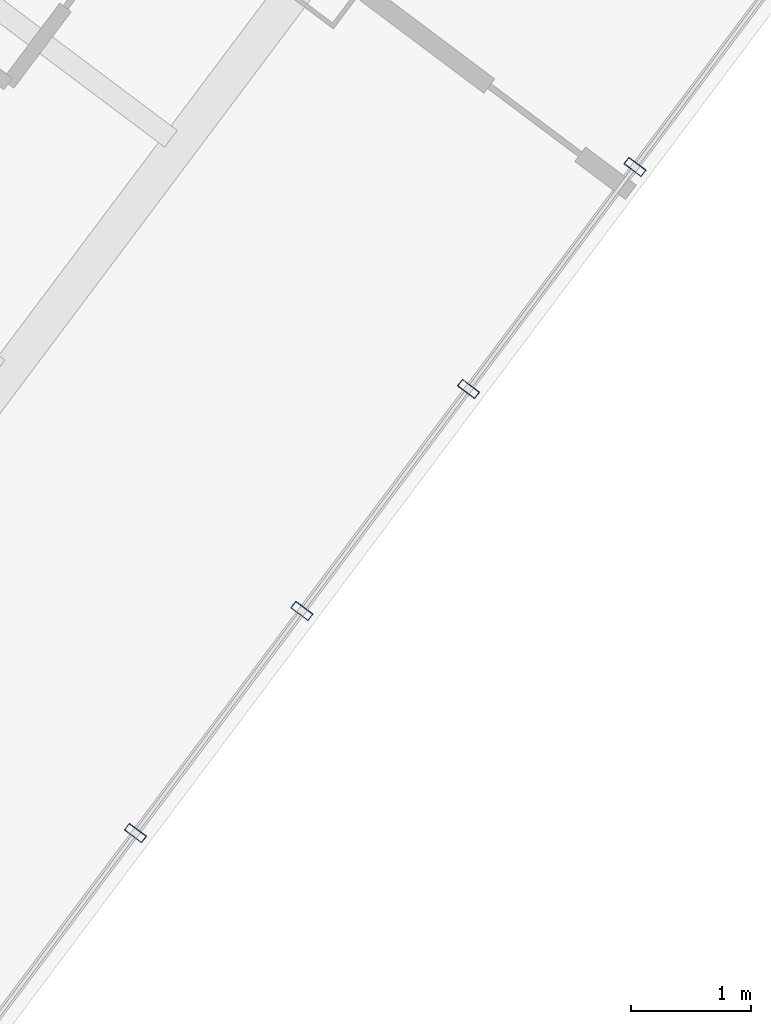
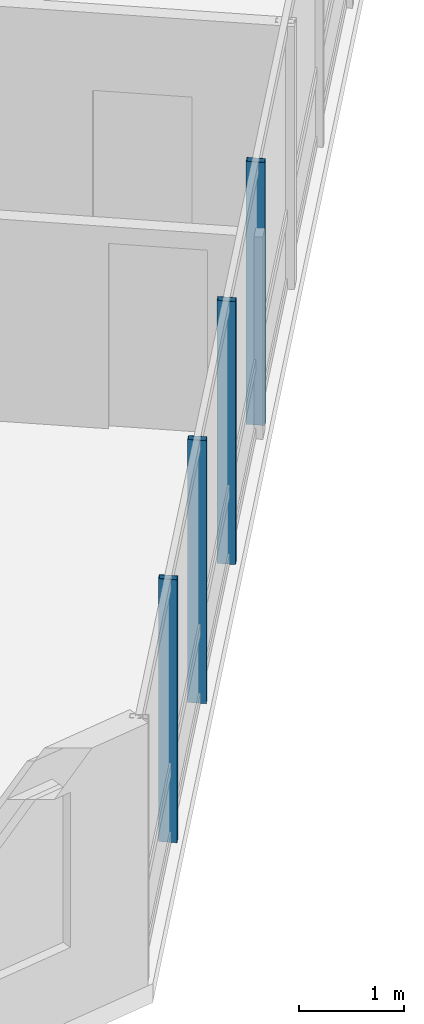
# One storey, part 14 of 36: 4 members, 1 element without a shape of its own.
"""IFC4 building model written with IfcOpenShell, lengths in metres."""

from ifc_helpers import new_model, si_unit, direction, frame, origin, origin_2d, place, context, subcontext, project, spatial, hollow_rectangle, extrude, material, layer, layer_set, material_profile, profile_set, type_object, element, aggregate, save


model = new_model("IFC4")

# Units and contexts
model_context = context("Model", 3, precision=1e-05, world=origin(), true_north=direction((0.0, 1.0)))
body_context = subcontext(model_context, "Body", "Model", "MODEL_VIEW")
ifc_project = project(units=[si_unit("LENGTHUNIT", "METRE"), si_unit("AREAUNIT", "SQUARE_METRE"), si_unit("VOLUMEUNIT", "CUBIC_METRE"), si_unit("PLANEANGLEUNIT", "RADIAN"), si_unit("MASSUNIT", "GRAM", prefix="KILO")], contexts=[model_context])

# Site, building, storey
site_placement = place(None, origin())
site = spatial("IfcSite", under=ifc_project, at=site_placement, CompositionType="ELEMENT")
building_placement = place(site_placement, origin())
building = spatial("IfcBuilding", under=site, at=building_placement, Name="Hatsunagi Terrace Concourse", CompositionType="ELEMENT")
storey_placement = place(building_placement, frame((0.0, 0.0, 88.0)))
storey = spatial("IfcBuildingStorey", under=building, at=storey_placement, Name="L23", CompositionType="ELEMENT", Elevation=88.0)

# Curtain wall, members
ifc_material_1 = material(Name="Anodised Aluminium Alloy 6063-T5", Category="aluminium")
ifc_layer = layer(ifc_material_1, 0.199951171875)
ifc_layer_set = layer_set([ifc_layer], Name="HotelFacade_CW02")
curtain_wall_type = type_object("IfcCurtainWallType", Name="HotelFacade_CW02", PredefinedType="NOTDEFINED", material=ifc_layer_set)
curtain_wall_placement = place(storey_placement, origin())
curtain_wall = element("IfcCurtainWall", 1, at=curtain_wall_placement, inside=storey, type_object=curtain_wall_type, Name="Unitised Curtain Wall CW-02 CW-L23-03", PredefinedType="NOTDEFINED")
ifc_material_2 = material(Name="Anodised Aluminium Alloy 6063-T5", Category="aluminium")
ifc_material_profile = material_profile(ifc_material_2, hollow_rectangle(XDim=0.070068359375, YDim=0.179931640625, WallThickness=0.00390625, at=origin_2d()), Name="ALU-MUL-180x70x4")
ifc_profile_set = profile_set([ifc_material_profile], Name="Anodised Aluminium Alloy 6063-T5")
member_type = type_object("IfcMemberType", Name="CurtainWallMullion_180x70", PredefinedType="MULLION", material=ifc_profile_set)
member_1_placement = place(storey_placement, frame((62.132080078125, 10.3759765625, 0.0), z_axis=(0.0, 0.0, 1.0), x_axis=(-0.599969314634, -0.800023013105, 0.0)))
member_1 = element("IfcMember", 2, at=member_1_placement, type_object=member_type, Name="Curtain Wall Mullion MUL-02", PredefinedType="MULLION", context=body_context, shape_type="SweptSolid", body=[
    extrude(hollow_rectangle(XDim=0.070068359375, YDim=0.179931640625, WallThickness=0.00390625, at=origin_2d()), origin(), (0.0, 0.0, 1.0), 3.050048828125),
])
member_2_placement = place(storey_placement, frame((60.739990234375, 8.51904296875, 0.0), z_axis=(0.0, 0.0, 1.0), x_axis=(-0.599969314634, -0.800023013105, 0.0)))
member_2 = element("IfcMember", 3, at=member_2_placement, type_object=member_type, Name="Curtain Wall Mullion MUL-02", PredefinedType="MULLION", context=body_context, shape_type="SweptSolid", body=[
    extrude(hollow_rectangle(XDim=0.070068359375, YDim=0.179931640625, WallThickness=0.00390625, at=origin_2d()), origin(), (0.0, 0.0, 1.0), 3.050048828125),
])
member_3_placement = place(storey_placement, frame((59.346923828125, 6.6630859375, 0.0), z_axis=(0.0, 0.0, 1.0), x_axis=(-0.599969314634, -0.800023013105, 0.0)))
member_3 = element("IfcMember", 4, at=member_3_placement, type_object=member_type, Name="Curtain Wall Mullion MUL-02", PredefinedType="MULLION", context=body_context, shape_type="SweptSolid", body=[
    extrude(hollow_rectangle(XDim=0.070068359375, YDim=0.179931640625, WallThickness=0.00390625, at=origin_2d()), origin(), (0.0, 0.0, 1.0), 3.050048828125),
])
member_4_placement = place(storey_placement, frame((57.955078125, 4.805908203125, 0.0), z_axis=(0.0, 0.0, 1.0), x_axis=(-0.599969314634, -0.800023013105, 0.0)))
member_4 = element("IfcMember", 5, at=member_4_placement, type_object=member_type, Name="Curtain Wall Mullion MUL-02", PredefinedType="MULLION", context=body_context, shape_type="SweptSolid", body=[
    extrude(hollow_rectangle(XDim=0.070068359375, YDim=0.179931640625, WallThickness=0.00390625, at=origin_2d()), origin(), (0.0, 0.0, 1.0), 3.050048828125),
])
aggregate(curtain_wall, [member_1, member_2, member_3, member_4])

save(model, "model.ifc")
